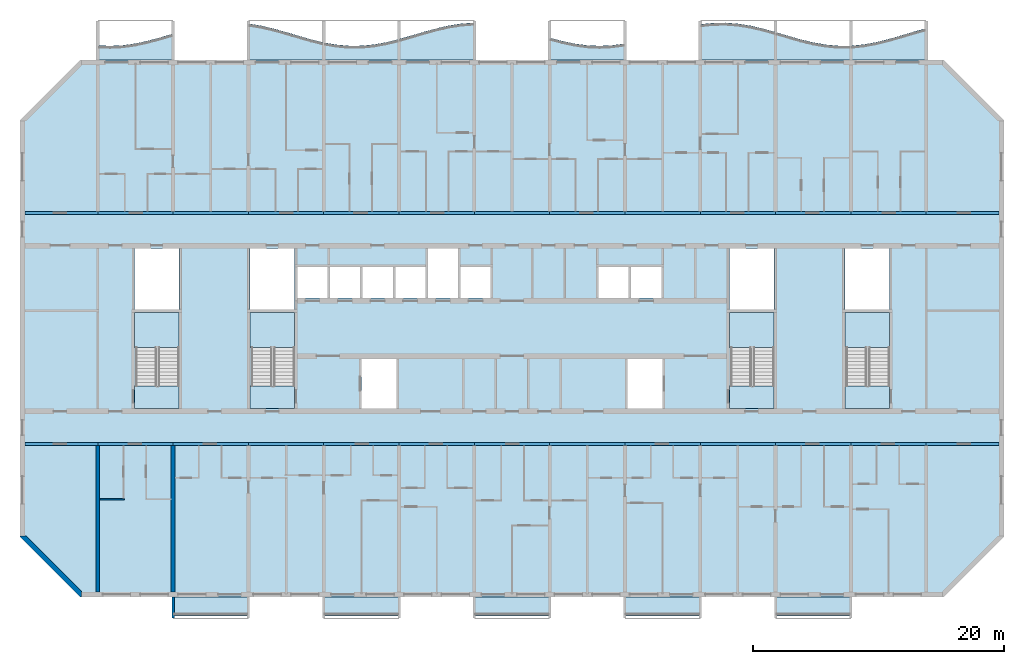
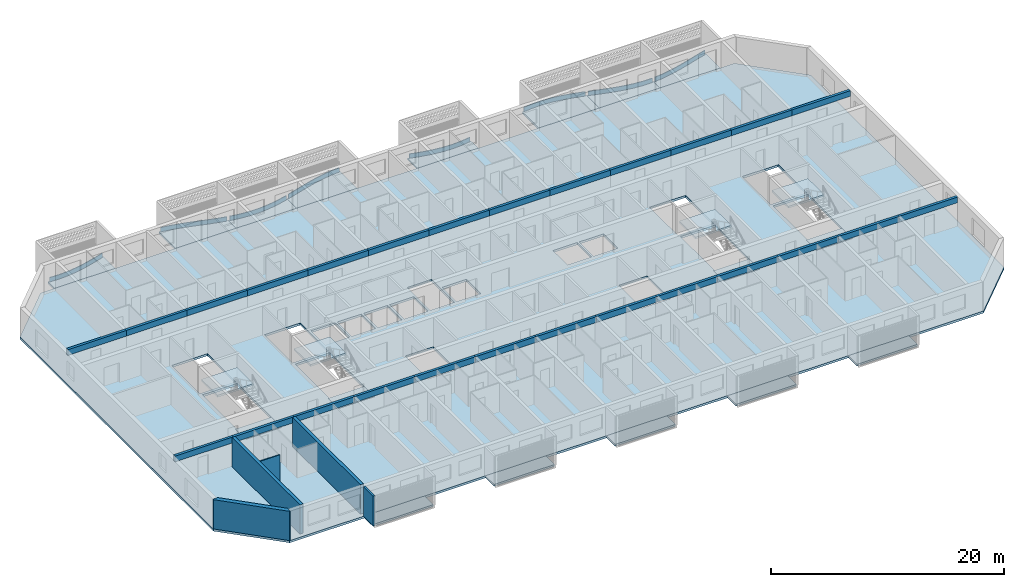
# One storey, part 1 of 33: 26 beams, 22 slabs, 8 plates, 5 walls, 4 elements without a shape of their own.
"""IFC4 building model written with IfcOpenShell, lengths in metres."""

from ifc_helpers import new_model, si_unit, direction, frame, frame_2d, origin, origin_2d, place, context, subcontext, project, spatial, polyline, rectangle, outline, extrude, source, transform, mapped, material, layer, layer_set, material_profile, profile_set, type_object, element, aggregate, save


model = new_model("IFC4")

# Units and contexts
model_context = context("Model", 3, precision=1e-05, world=origin(), true_north=direction((0.0, 1.0)))
body_context = subcontext(model_context, "Body", "Model", "MODEL_VIEW")
ifc_project = project(units=[si_unit("LENGTHUNIT", "METRE"), si_unit("AREAUNIT", "SQUARE_METRE"), si_unit("VOLUMEUNIT", "CUBIC_METRE"), si_unit("PLANEANGLEUNIT", "RADIAN"), si_unit("MASSUNIT", "GRAM", prefix="KILO")], contexts=[model_context])

# Site, building, storey
site_placement = place(None, origin())
site = spatial("IfcSite", under=ifc_project, at=site_placement, CompositionType="ELEMENT")
building_placement = place(site_placement, origin())
building = spatial("IfcBuilding", under=site, at=building_placement, Name="Poui Terraces", CompositionType="ELEMENT")
storey_placement = place(building_placement, frame((0.0, 0.0, 135.60009765625)))
storey = spatial("IfcBuildingStorey", under=building, at=storey_placement, Name="L37", CompositionType="ELEMENT", Elevation=135.60009765625)

# Beams
ifc_material_1 = material(Name="Concrete 65 MPa", Category="concrete")
ifc_material_profile = material_profile(ifc_material_1, rectangle(XDim=0.25, YDim=0.60009765625, at=origin_2d()), Name="RC 250x600")
ifc_profile_set = profile_set([ifc_material_profile], Name="Concrete 65 MPa")
beam_type = type_object("IfcBeamType", Name="COUPLING BEAM 250x600 65MPa", PredefinedType="BEAM", material=ifc_profile_set)
shared_shape_1 = source(origin(), body_context, "Body", "SweptSolid", [
    extrude(rectangle(XDim=0.25, YDim=0.60009765625, at=origin_2d()), origin(), (0.0, 0.0, 1.0), 5.800048828125),
])
for number, where, z_axis, x_axis, name in (
    (1, (12.199951171875, 12.0, 2.77001953125), (1.0, 0.0, 0.0), (0.0, 1.0, 0.0), "COUPLING BEAM LINE B BAY 1"),
    (2, (84.0, 12.0, 2.77001953125), (1.0, 0.0, 0.0), (0.0, 1.0, 0.0), "COUPLING BEAM LINE B BAY 13"),
    (3, (12.199951171875, 30.39990234375, 2.77001953125), (1.0, 0.0, 0.0), (0.0, 1.0, 0.0), "COUPLING BEAM LINE E BAY 1"),
    (4, (84.0, 30.39990234375, 2.77001953125), (1.0, 0.0, 0.0), (0.0, 1.0, 0.0), "COUPLING BEAM LINE E BAY 13"),
):
    element("IfcBeam", number, at=place(storey_placement, frame(where, z_axis=z_axis, x_axis=x_axis)), inside=storey, type_object=beam_type, Name=name, PredefinedType="BEAM", context=body_context, shape_type="MappedRepresentation", body=[
        mapped(shared_shape_1, transform((0.0, 0.0, 0.0))),
    ])
shared_shape_2 = source(origin(), body_context, "Body", "SweptSolid", [
    extrude(rectangle(XDim=0.25, YDim=0.60009765625, at=origin_2d()), origin(), (0.0, 0.0, 1.0), 6.0),
])
for number, where, z_axis, x_axis, name in (
    (5, (18.0, 12.0, 2.77001953125), (1.0, 0.0, 0.0), (0.0, 1.0, 0.0), "COUPLING BEAM LINE B BAY 2"),
    (6, (24.0, 12.0, 2.77001953125), (1.0, 0.0, 0.0), (0.0, 1.0, 0.0), "COUPLING BEAM LINE B BAY 3"),
    (7, (30.0, 12.0, 2.77001953125), (1.0, 0.0, 0.0), (0.0, 1.0, 0.0), "COUPLING BEAM LINE B BAY 4"),
    (8, (36.0, 12.0, 2.77001953125), (1.0, 0.0, 0.0), (0.0, 1.0, 0.0), "COUPLING BEAM LINE B BAY 5"),
    (9, (42.0, 12.0, 2.77001953125), (1.0, 0.0, 0.0), (0.0, 1.0, 0.0), "COUPLING BEAM LINE B BAY 6"),
    (10, (48.0, 12.0, 2.77001953125), (1.0, 0.0, 0.0), (0.0, 1.0, 0.0), "COUPLING BEAM LINE B BAY 7"),
    (11, (54.0, 12.0, 2.77001953125), (1.0, 0.0, 0.0), (0.0, 1.0, 0.0), "COUPLING BEAM LINE B BAY 8"),
    (12, (60.0, 12.0, 2.77001953125), (1.0, 0.0, 0.0), (0.0, 1.0, 0.0), "COUPLING BEAM LINE B BAY 9"),
    (13, (66.0, 12.0, 2.77001953125), (1.0, 0.0, 0.0), (0.0, 1.0, 0.0), "COUPLING BEAM LINE B BAY 10"),
    (14, (72.0, 12.0, 2.77001953125), (1.0, 0.0, 0.0), (0.0, 1.0, 0.0), "COUPLING BEAM LINE B BAY 11"),
    (15, (78.0, 12.0, 2.77001953125), (1.0, 0.0, 0.0), (0.0, 1.0, 0.0), "COUPLING BEAM LINE B BAY 12"),
    (16, (18.0, 30.39990234375, 2.77001953125), (1.0, 0.0, 0.0), (0.0, 1.0, 0.0), "COUPLING BEAM LINE E BAY 2"),
    (17, (24.0, 30.39990234375, 2.77001953125), (1.0, 0.0, 0.0), (0.0, 1.0, 0.0), "COUPLING BEAM LINE E BAY 3"),
    (18, (30.0, 30.39990234375, 2.77001953125), (1.0, 0.0, 0.0), (0.0, 1.0, 0.0), "COUPLING BEAM LINE E BAY 4"),
    (19, (36.0, 30.39990234375, 2.77001953125), (1.0, 0.0, 0.0), (0.0, 1.0, 0.0), "COUPLING BEAM LINE E BAY 5"),
    (20, (42.0, 30.39990234375, 2.77001953125), (1.0, 0.0, 0.0), (0.0, 1.0, 0.0), "COUPLING BEAM LINE E BAY 6"),
    (21, (48.0, 30.39990234375, 2.77001953125), (1.0, 0.0, 0.0), (0.0, 1.0, 0.0), "COUPLING BEAM LINE E BAY 7"),
    (22, (54.0, 30.39990234375, 2.77001953125), (1.0, 0.0, 0.0), (0.0, 1.0, 0.0), "COUPLING BEAM LINE E BAY 8"),
    (23, (60.0, 30.39990234375, 2.77001953125), (1.0, 0.0, 0.0), (0.0, 1.0, 0.0), "COUPLING BEAM LINE E BAY 9"),
    (24, (66.0, 30.39990234375, 2.77001953125), (1.0, 0.0, 0.0), (0.0, 1.0, 0.0), "COUPLING BEAM LINE E BAY 10"),
    (25, (72.0, 30.39990234375, 2.77001953125), (1.0, 0.0, 0.0), (0.0, 1.0, 0.0), "COUPLING BEAM LINE E BAY 11"),
    (26, (78.0, 30.39990234375, 2.77001953125), (1.0, 0.0, 0.0), (0.0, 1.0, 0.0), "COUPLING BEAM LINE E BAY 12"),
):
    element("IfcBeam", number, at=place(storey_placement, frame(where, z_axis=z_axis, x_axis=x_axis)), inside=storey, type_object=beam_type, Name=name, PredefinedType="BEAM", context=body_context, shape_type="MappedRepresentation", body=[
        mapped(shared_shape_2, transform((0.0, 0.0, 0.0))),
    ])

# Slabs
ifc_material_2 = material(Name="Precast concrete 40 MPa", Category="concrete")
ifc_layer_1 = layer(ifc_material_2, 0.199951171875)
ifc_layer_set_1 = layer_set([ifc_layer_1], Name="Precast concrete 40 MPa")
slab_type_1 = type_object("IfcSlabType", Name="BALCONY SLAB 200", PredefinedType="FLOOR", material=ifc_layer_set_1)
slab_1_placement = place(storey_placement, frame((0.0, 0.0, -0.2001953125)))
element("IfcSlab", 27, at=slab_1_placement, inside=storey, type_object=slab_type_1, Name="BALCONY SLAB", PredefinedType="FLOOR", context=body_context, shape_type="SweptSolid", body=[
    extrude(outline(polyline([(18.0, 42.60009765625), (24.0, 42.60009765625), (24.0, 44.6748046875), (23.0, 44.379638671875), (22.0, 44.10986328125), (21.0, 43.89306640625), (20.0, 43.751708984375), (19.0, 43.7001953125), (18.0, 43.743896484375), (18.0, 42.60009765625)])), origin(), (0.0, 0.0, 1.0), 0.2001953125),
])
slab_2_placement = place(storey_placement, frame((0.0, 0.0, -0.2001953125)))
element("IfcSlab", 28, at=slab_2_placement, inside=storey, type_object=slab_type_1, Name="BALCONY SLAB", PredefinedType="FLOOR", context=body_context, shape_type="SweptSolid", body=[
    extrude(outline(polyline([(30.0, 42.60009765625), (36.0, 42.60009765625), (36.0, 43.975341796875), (35.0, 44.21728515625), (34.0, 44.501220703125), (33.0, 44.7978515625), (32.0, 45.07666015625), (31.0, 45.30908203125), (30.0, 45.470947265625), (30.0, 42.60009765625)])), origin(), (0.0, 0.0, 1.0), 0.2001953125),
])
slab_3_placement = place(storey_placement, frame((0.0, 0.0, -0.2001953125)))
element("IfcSlab", 29, at=slab_3_placement, inside=storey, type_object=slab_type_1, Name="BALCONY SLAB", PredefinedType="FLOOR", context=body_context, shape_type="SweptSolid", body=[
    extrude(outline(polyline([(36.0, 42.60009765625), (42.0, 42.60009765625), (42.0, 44.23974609375), (41.0, 43.9931640625), (40.0, 43.811767578125), (39.0, 43.714111328125), (38.0, 43.710205078125), (37.0, 43.80029296875), (36.0, 43.975341796875), (36.0, 42.60009765625)])), origin(), (0.0, 0.0, 1.0), 0.2001953125),
])
slab_4_placement = place(storey_placement, frame((0.0, 0.0, -0.2001953125)))
element("IfcSlab", 30, at=slab_4_placement, inside=storey, type_object=slab_type_1, Name="BALCONY SLAB", PredefinedType="FLOOR", context=body_context, shape_type="SweptSolid", body=[
    extrude(outline(polyline([(42.0, 42.60009765625), (48.0, 42.60009765625), (48.0, 45.5478515625), (47.0, 45.480712890625), (46.0, 45.325439453125), (45.0, 45.09814453125), (44.0, 44.822265625), (43.0, 44.52587890625), (42.0, 44.23974609375), (42.0, 42.60009765625)])), origin(), (0.0, 0.0, 1.0), 0.2001953125),
])
slab_5_placement = place(storey_placement, frame((0.0, 0.0, -0.2001953125)))
element("IfcSlab", 31, at=slab_5_placement, inside=storey, type_object=slab_type_1, Name="BALCONY SLAB", PredefinedType="FLOOR", context=body_context, shape_type="SweptSolid", body=[
    extrude(outline(polyline([(54.0, 42.60009765625), (60.0, 42.60009765625), (60.0, 43.89306640625), (59.0, 43.751708984375), (58.0, 43.7001953125), (57.0, 43.743896484375), (56.0, 43.878173828125), (55.0, 44.08935546875), (54.0, 44.355712890625), (54.0, 42.60009765625)])), origin(), (0.0, 0.0, 1.0), 0.2001953125),
])
slab_6_placement = place(storey_placement, frame((0.0, 0.0, -0.2001953125)))
element("IfcSlab", 32, at=slab_6_placement, inside=storey, type_object=slab_type_1, Name="BALCONY SLAB", PredefinedType="FLOOR", context=body_context, shape_type="SweptSolid", body=[
    extrude(outline(polyline([(66.0, 42.60009765625), (72.0, 42.60009765625), (72.0, 44.7978515625), (71.0, 45.07666015625), (70.0, 45.30908203125), (69.0, 45.470947265625), (68.0, 45.5458984375), (67.0, 45.52587890625), (66.0, 45.413330078125), (66.0, 42.60009765625)])), origin(), (0.0, 0.0, 1.0), 0.2001953125),
])
slab_7_placement = place(storey_placement, frame((0.0, 0.0, -0.2001953125)))
element("IfcSlab", 33, at=slab_7_placement, inside=storey, type_object=slab_type_1, Name="BALCONY SLAB", PredefinedType="FLOOR", context=body_context, shape_type="SweptSolid", body=[
    extrude(outline(polyline([(72.0, 42.60009765625), (78.0, 42.60009765625), (78.0, 43.714111328125), (77.0, 43.710205078125), (76.0, 43.80029296875), (75.0, 43.975341796875), (74.0, 44.21728515625), (73.0, 44.501220703125), (72.0, 44.7978515625), (72.0, 42.60009765625)])), origin(), (0.0, 0.0, 1.0), 0.2001953125),
])
slab_8_placement = place(storey_placement, frame((0.0, 0.0, -0.2001953125)))
element("IfcSlab", 34, at=slab_8_placement, inside=storey, type_object=slab_type_1, Name="BALCONY SLAB", PredefinedType="FLOOR", context=body_context, shape_type="SweptSolid", body=[
    extrude(outline(polyline([(78.0, 42.60009765625), (84.0, 42.60009765625), (84.0, 45.09814453125), (83.0, 44.822265625), (82.0, 44.52587890625), (81.0, 44.23974609375), (80.0, 43.9931640625), (79.0, 43.811767578125), (78.0, 43.714111328125), (78.0, 42.60009765625)])), origin(), (0.0, 0.0, 1.0), 0.2001953125),
])

# Stair, slabs
stair_type = type_object("IfcStairType", Name="EXIT STAIR 1650 65 MPA", PredefinedType="HALF_TURN_STAIR", material=ifc_material_1)
stair_1_placement = place(storey_placement, origin())
stair_1 = element("IfcStair", 35, at=stair_1_placement, inside=storey, type_object=stair_type, Name="L37 CORE STAIR EAST", PredefinedType="HALF_TURN_STAIR")
ifc_layer_2 = layer(ifc_material_1, 0.199951171875)
ifc_layer_set_2 = layer_set([ifc_layer_2], Name="Concrete 65 MPa")
slab_type_2 = type_object("IfcSlabType", Name="STAIR LANDING 200 65 MPA", PredefinedType="LANDING", material=ifc_layer_set_2)
slab_9_placement = place(storey_placement, frame((0.0, 0.0, 1.44970703125)))
slab_9 = element("IfcSlab", 36, at=slab_9_placement, type_object=slab_type_2, Name="ST-CE landing 1", PredefinedType="LANDING", context=body_context, shape_type="SweptSolid", body=[
    extrude(outline(polyline([(68.324951171875, 19.679931640625), (71.875, 19.679931640625), (71.875, 22.47509765625), (68.324951171875, 22.47509765625), (68.324951171875, 19.679931640625)])), origin(), (0.0, 0.0, 1.0), 0.2001953125),
])
slab_10_placement = place(storey_placement, frame((0.0, 0.0, -0.2001953125)))
slab_10 = element("IfcSlab", 37, at=slab_10_placement, type_object=slab_type_2, Name="ST-CE landing 2", PredefinedType="LANDING", context=body_context, shape_type="SweptSolid", body=[
    extrude(outline(polyline([(68.324951171875, 14.824951171875), (71.875, 14.824951171875), (71.875, 16.60009765625), (68.324951171875, 16.60009765625), (68.324951171875, 14.824951171875)])), origin(), (0.0, 0.0, 1.0), 0.2001953125),
])
aggregate(stair_1, [slab_9, slab_10])

stair_2_placement = place(storey_placement, origin())
stair_2 = element("IfcStair", 38, at=stair_2_placement, inside=storey, type_object=stair_type, Name="L37 CORE STAIR WEST", PredefinedType="HALF_TURN_STAIR")
slab_11_placement = place(storey_placement, frame((0.0, 0.0, 1.44970703125)))
slab_11 = element("IfcSlab", 39, at=slab_11_placement, type_object=slab_type_2, Name="ST-CW landing 1", PredefinedType="LANDING", context=body_context, shape_type="SweptSolid", body=[
    extrude(outline(polyline([(30.125, 19.679931640625), (33.675048828125, 19.679931640625), (33.675048828125, 22.47509765625), (30.125, 22.47509765625), (30.125, 19.679931640625)])), origin(), (0.0, 0.0, 1.0), 0.2001953125),
])
slab_12_placement = place(storey_placement, frame((0.0, 0.0, -0.2001953125)))
slab_12 = element("IfcSlab", 40, at=slab_12_placement, type_object=slab_type_2, Name="ST-CW landing 2", PredefinedType="LANDING", context=body_context, shape_type="SweptSolid", body=[
    extrude(outline(polyline([(30.125, 14.824951171875), (33.675048828125, 14.824951171875), (33.675048828125, 16.60009765625), (30.125, 16.60009765625), (30.125, 14.824951171875)])), origin(), (0.0, 0.0, 1.0), 0.2001953125),
])
aggregate(stair_2, [slab_11, slab_12])

stair_3_placement = place(storey_placement, origin())
stair_3 = element("IfcStair", 41, at=stair_3_placement, inside=storey, type_object=stair_type, Name="L37 TIP STAIR EAST", PredefinedType="HALF_TURN_STAIR")
slab_13_placement = place(storey_placement, frame((0.0, 0.0, 1.44970703125)))
slab_13 = element("IfcSlab", 42, at=slab_13_placement, type_object=slab_type_2, Name="ST-E landing 1", PredefinedType="LANDING", context=body_context, shape_type="SweptSolid", body=[
    extrude(outline(polyline([(77.52490234375, 19.679931640625), (81.074951171875, 19.679931640625), (81.074951171875, 22.47509765625), (77.52490234375, 22.47509765625), (77.52490234375, 19.679931640625)])), origin(), (0.0, 0.0, 1.0), 0.2001953125),
])
slab_14_placement = place(storey_placement, frame((0.0, 0.0, -0.2001953125)))
slab_14 = element("IfcSlab", 43, at=slab_14_placement, type_object=slab_type_2, Name="ST-E landing 2", PredefinedType="LANDING", context=body_context, shape_type="SweptSolid", body=[
    extrude(outline(polyline([(77.52490234375, 14.824951171875), (81.074951171875, 14.824951171875), (81.074951171875, 16.60009765625), (77.52490234375, 16.60009765625), (77.52490234375, 14.824951171875)])), origin(), (0.0, 0.0, 1.0), 0.2001953125),
])
aggregate(stair_3, [slab_13, slab_14])

stair_4_placement = place(storey_placement, origin())
stair_4 = element("IfcStair", 44, at=stair_4_placement, inside=storey, type_object=stair_type, Name="L37 TIP STAIR WEST", PredefinedType="HALF_TURN_STAIR")
slab_15_placement = place(storey_placement, frame((0.0, 0.0, 1.44970703125)))
slab_15 = element("IfcSlab", 45, at=slab_15_placement, type_object=slab_type_2, Name="ST-W landing 1", PredefinedType="LANDING", context=body_context, shape_type="SweptSolid", body=[
    extrude(outline(polyline([(20.925048828125, 19.679931640625), (24.47509765625, 19.679931640625), (24.47509765625, 22.47509765625), (20.925048828125, 22.47509765625), (20.925048828125, 19.679931640625)])), origin(), (0.0, 0.0, 1.0), 0.2001953125),
])
slab_16_placement = place(storey_placement, frame((0.0, 0.0, -0.2001953125)))
slab_16 = element("IfcSlab", 46, at=slab_16_placement, type_object=slab_type_2, Name="ST-W landing 2", PredefinedType="LANDING", context=body_context, shape_type="SweptSolid", body=[
    extrude(outline(polyline([(20.925048828125, 14.824951171875), (24.47509765625, 14.824951171875), (24.47509765625, 16.60009765625), (20.925048828125, 16.60009765625), (20.925048828125, 14.824951171875)])), origin(), (0.0, 0.0, 1.0), 0.2001953125),
])
aggregate(stair_4, [slab_15, slab_16])

# Plates
ifc_layer_3 = layer(ifc_material_2, 0.080078125)
ifc_layer_set_3 = layer_set([ifc_layer_3], Name="Precast concrete 40 MPa")
plate_type = type_object("IfcPlateType", Name="SUNSHADE UPSTAND 80", PredefinedType="SHEET", material=ifc_layer_set_3)
plate_1_placement = place(storey_placement, origin())
element("IfcPlate", 47, at=plate_1_placement, inside=storey, type_object=plate_type, Name="SUNSHADE UPSTAND", PredefinedType="SHEET", context=body_context, shape_type="SweptSolid", body=[
    extrude(outline(polyline([(18.999755859375, 43.695068359375), (18.12646484375, 43.72802734375), (18.12353515625, 43.648193359375), (19.000244140625, 43.614990234375), (20.00390625, 43.666748046875), (21.007080078125, 43.80859375), (22.009521484375, 44.02587890625), (23.010986328125, 44.296142578125), (23.88623046875, 44.553955078125), (23.86376953125, 44.630859375), (22.989013671875, 44.373046875), (21.990478515625, 44.103759765625), (20.992919921875, 43.887451171875), (19.99609375, 43.74658203125), (18.999755859375, 43.695068359375)])), origin(), (0.0, 0.0, 1.0), 0.449951171875),
])
plate_2_placement = place(storey_placement, origin())
element("IfcPlate", 48, at=plate_2_placement, inside=storey, type_object=plate_type, Name="SUNSHADE UPSTAND", PredefinedType="SHEET", context=body_context, shape_type="SweptSolid", body=[
    extrude(outline(polyline([(31.0078125, 45.30322265625), (30.1357421875, 45.448974609375), (30.131591796875, 45.44970703125), (30.118408203125, 45.370849609375), (30.9921875, 45.224853515625), (31.989990234375, 44.992919921875), (32.989013671875, 44.71435546875), (33.98876953125, 44.417724609375), (34.98974609375, 44.133544921875), (35.865478515625, 43.91845703125), (35.884521484375, 43.99609375), (35.01025390625, 44.2109375), (34.01123046875, 44.49462890625), (33.010986328125, 44.791259765625), (32.010009765625, 45.070556640625), (31.0078125, 45.30322265625)])), origin(), (0.0, 0.0, 1.0), 0.449951171875),
])
plate_3_placement = place(storey_placement, origin())
element("IfcPlate", 49, at=plate_3_placement, inside=storey, type_object=plate_type, Name="SUNSHADE UPSTAND", PredefinedType="SHEET", context=body_context, shape_type="SweptSolid", body=[
    extrude(outline(polyline([(37.005126953125, 43.794921875), (36.131591796875, 43.94384765625), (36.118408203125, 43.864990234375), (36.994873046875, 43.715576171875), (37.998291015625, 43.625), (39.001953125, 43.629150390625), (40.005615234375, 43.72705078125), (41.00830078125, 43.9091796875), (41.884521484375, 44.122314453125), (41.865478515625, 44.199951171875), (40.99169921875, 43.9873046875), (39.994384765625, 43.806396484375), (38.998046875, 43.708984375), (38.001708984375, 43.705078125), (37.005126953125, 43.794921875)])), origin(), (0.0, 0.0, 1.0), 0.449951171875),
])
plate_4_placement = place(storey_placement, origin())
element("IfcPlate", 50, at=plate_4_placement, inside=storey, type_object=plate_type, Name="SUNSHADE UPSTAND", PredefinedType="SHEET", context=body_context, shape_type="SweptSolid", body=[
    extrude(outline(polyline([(42.98876953125, 44.519287109375), (42.114013671875, 44.267333984375), (42.135986328125, 44.1904296875), (43.01123046875, 44.4423828125), (44.010986328125, 44.73876953125), (45.009765625, 45.014404296875), (46.007568359375, 45.2412109375), (47.00439453125, 45.39599609375), (47.8779296875, 45.459716796875), (47.8720703125, 45.539306640625), (47.83203125, 45.53662109375), (46.99560546875, 45.4755859375), (45.992431640625, 45.31982421875), (44.990234375, 45.092041015625), (43.989013671875, 44.815673828125), (42.98876953125, 44.519287109375)])), origin(), (0.0, 0.0, 1.0), 0.449951171875),
])
plate_5_placement = place(storey_placement, origin())
element("IfcPlate", 51, at=plate_5_placement, inside=storey, type_object=plate_type, Name="SUNSHADE UPSTAND", PredefinedType="SHEET", context=body_context, shape_type="SweptSolid", body=[
    extrude(outline(polyline([(55.00927734375, 44.083251953125), (54.13525390625, 44.31396484375), (54.11474609375, 44.23681640625), (54.99072265625, 44.00537109375), (55.9931640625, 43.793701171875), (56.99658203125, 43.658935546875), (58.000244140625, 43.614990234375), (59.003662109375, 43.666748046875), (59.88037109375, 43.7861328125), (59.86962890625, 43.865478515625), (58.996337890625, 43.74658203125), (57.999755859375, 43.695068359375), (57.00341796875, 43.738525390625), (56.0068359375, 43.87255859375), (55.00927734375, 44.083251953125)])), origin(), (0.0, 0.0, 1.0), 0.449951171875),
])
plate_6_placement = place(storey_placement, origin())
element("IfcPlate", 52, at=plate_6_placement, inside=storey, type_object=plate_type, Name="SUNSHADE UPSTAND", PredefinedType="SHEET", context=body_context, shape_type="SweptSolid", body=[
    extrude(outline(polyline([(66.99755859375, 45.52099609375), (66.123291015625, 45.42724609375), (66.12060546875, 45.427001953125), (66.12939453125, 45.347412109375), (67.00244140625, 45.441162109375), (67.998779296875, 45.4609375), (68.995361328125, 45.38623046875), (69.9921875, 45.224853515625), (70.989990234375, 44.992919921875), (71.8642578125, 44.750732421875), (71.8857421875, 44.827880859375), (71.010009765625, 45.070556640625), (70.0078125, 45.30322265625), (69.004638671875, 45.4658203125), (68.001220703125, 45.541015625), (66.99755859375, 45.52099609375)])), origin(), (0.0, 0.0, 1.0), 0.449951171875),
])
plate_7_placement = place(storey_placement, origin())
element("IfcPlate", 53, at=plate_7_placement, inside=storey, type_object=plate_type, Name="SUNSHADE UPSTAND", PredefinedType="SHEET", context=body_context, shape_type="SweptSolid", body=[
    extrude(outline(polyline([(73.01123046875, 44.49462890625), (72.136474609375, 44.75439453125), (72.113525390625, 44.677734375), (72.98876953125, 44.417724609375), (73.98974609375, 44.133544921875), (74.99169921875, 43.89111328125), (75.99462890625, 43.715576171875), (76.998291015625, 43.625), (77.875, 43.623291015625), (77.875, 43.703369140625), (77.001708984375, 43.705078125), (76.00537109375, 43.794921875), (75.00830078125, 43.969482421875), (74.01025390625, 44.2109375), (73.01123046875, 44.49462890625)])), origin(), (0.0, 0.0, 1.0), 0.449951171875),
])
plate_8_placement = place(storey_placement, origin())
element("IfcPlate", 54, at=plate_8_placement, inside=storey, type_object=plate_type, Name="SUNSHADE UPSTAND", PredefinedType="SHEET", context=body_context, shape_type="SweptSolid", body=[
    extrude(outline(polyline([(78.994384765625, 43.806396484375), (78.120849609375, 43.716064453125), (78.129150390625, 43.636474609375), (79.005615234375, 43.727294921875), (80.00830078125, 43.9091796875), (81.01025390625, 44.156005859375), (82.01123046875, 44.4423828125), (83.010986328125, 44.73876953125), (83.8857421875, 44.982421875), (83.8642578125, 45.059326171875), (82.989013671875, 44.815673828125), (81.98876953125, 44.519287109375), (80.98974609375, 44.2333984375), (79.99169921875, 43.9873046875), (78.994384765625, 43.806396484375)])), origin(), (0.0, 0.0, 1.0), 0.449951171875),
])

# Slabs
ifc_material_3 = material(Name="Concrete 40 MPa", Category="concrete")
ifc_layer_4 = layer(ifc_material_3, 0.22998046875)
ifc_layer_set_4 = layer_set([ifc_layer_4], Name="Concrete 40 MPa")
slab_type_3 = type_object("IfcSlabType", Name="FLOOR SLAB 230", PredefinedType="FLOOR", material=ifc_layer_set_4)
shared_shape_3 = source(origin(), body_context, "Body", "SweptSolid", [
    extrude(outline(polyline([(0.0, 0.0), (4.800048828125, -4.800048828125), (73.599853515625, -4.800048828125), (78.39990234375, 0.0), (78.39990234375, 33.199951171875), (73.599853515625, 38.0), (4.800048828125, 38.0), (0.0, 33.199951171875), (0.0, 0.0)]), holes=[polyline([(27.199951171875, 10.224853515625), (27.199951171875, 14.1748046875), (30.0, 14.1748046875), (30.0, 10.224853515625), (27.199951171875, 10.224853515625)]), polyline([(9.224853515625, 17.849853515625), (12.675048828125, 17.849853515625), (12.675048828125, 12.0), (12.675048828125, 10.224853515625), (9.125, 10.224853515625), (9.125, 12.0), (9.224853515625, 12.0), (9.224853515625, 17.849853515625)]), polyline([(18.425048828125, 17.849853515625), (21.875, 17.849853515625), (21.875, 12.0), (21.875, 10.224853515625), (18.324951171875, 10.224853515625), (18.324951171875, 12.0), (18.425048828125, 12.0), (18.425048828125, 17.849853515625)]), polyline([(22.099853515625, 19.02490234375), (22.099853515625, 21.5), (24.5, 21.5), (24.5, 19.02490234375), (22.099853515625, 19.02490234375)]), polyline([(24.699951171875, 19.02490234375), (24.699951171875, 21.5), (27.099853515625, 21.5), (27.099853515625, 19.02490234375), (24.699951171875, 19.02490234375)]), polyline([(27.300048828125, 19.02490234375), (27.300048828125, 21.5), (29.699951171875, 21.5), (29.699951171875, 19.02490234375), (27.300048828125, 19.02490234375)]), polyline([(29.89990234375, 19.02490234375), (29.89990234375, 21.5), (32.300048828125, 21.5), (32.300048828125, 19.02490234375), (29.89990234375, 19.02490234375)]), polyline([(9.125, 22.974853515625), (12.675048828125, 22.974853515625), (12.675048828125, 18.125), (9.125, 18.125), (9.125, 22.974853515625)]), polyline([(18.324951171875, 22.974853515625), (21.875, 22.974853515625), (21.875, 18.125), (18.324951171875, 18.125), (18.324951171875, 22.974853515625)]), polyline([(48.39990234375, 10.224853515625), (48.39990234375, 14.1748046875), (51.199951171875, 14.1748046875), (51.199951171875, 10.224853515625), (48.39990234375, 10.224853515625)]), polyline([(56.625, 17.849853515625), (60.074951171875, 17.849853515625), (60.074951171875, 12.0), (60.074951171875, 10.224853515625), (56.52490234375, 10.224853515625), (56.52490234375, 12.0), (56.625, 12.0), (56.625, 17.849853515625)]), polyline([(65.824951171875, 17.849853515625), (69.27490234375, 17.849853515625), (69.27490234375, 12.0), (69.27490234375, 10.224853515625), (65.724853515625, 10.224853515625), (65.724853515625, 12.0), (65.824951171875, 12.0), (65.824951171875, 17.849853515625)]), polyline([(35.099853515625, 19.02490234375), (35.099853515625, 21.5), (37.5, 21.5), (37.5, 19.02490234375), (35.099853515625, 19.02490234375)]), polyline([(46.099853515625, 19.02490234375), (46.099853515625, 21.5), (48.5, 21.5), (48.5, 19.02490234375), (46.099853515625, 19.02490234375)]), polyline([(48.699951171875, 19.02490234375), (48.699951171875, 21.5), (51.099853515625, 21.5), (51.099853515625, 19.02490234375), (48.699951171875, 19.02490234375)]), polyline([(56.52490234375, 18.125), (56.52490234375, 22.974853515625), (60.074951171875, 22.974853515625), (60.074951171875, 18.125), (56.52490234375, 18.125)]), polyline([(65.724853515625, 22.974853515625), (69.27490234375, 22.974853515625), (69.27490234375, 18.125), (65.724853515625, 18.125), (65.724853515625, 22.974853515625)]), polyline([(32.5, 22.974853515625), (34.89990234375, 22.974853515625), (34.89990234375, 19.02490234375), (32.5, 19.02490234375), (32.5, 22.974853515625)])]), origin(), (0.0, 0.0, 1.0), 0.230224609375),
])
slab_17_placement = place(storey_placement, frame((11.800048828125, 4.60009765625, -0.230224609375)))
element("IfcSlab", 55, at=slab_17_placement, inside=storey, type_object=slab_type_3, Name="FLOOR SLAB", PredefinedType="FLOOR", context=body_context, shape_type="MappedRepresentation", body=[
    mapped(shared_shape_3, transform((0.0, 0.0, 0.0))),
])
ifc_layer_5 = layer(ifc_material_2, 0.199951171875)
ifc_layer_set_5 = layer_set([ifc_layer_5], Name="Precast concrete 40 MPa")
slab_type_4 = type_object("IfcSlabType", Name="REAR BALCONY SLAB 200", PredefinedType="FLOOR", material=ifc_layer_set_5)
shared_shape_4 = source(origin(), body_context, "Body", "SweptSolid", [
    extrude(outline(polyline([(0.0, 0.0), (6.0, 0.0), (6.0, 1.5), (0.0, 1.5), (0.0, 0.0)])), origin(), (0.0, 0.0, 1.0), 0.2001953125),
])
for number, where, name in (
    (56, (24.0, -1.699951171875, -0.2001953125), "REAR BALCONY SLAB"),
    (57, (36.0, -1.699951171875, -0.2001953125), "REAR BALCONY SLAB"),
    (58, (48.0, -1.699951171875, -0.2001953125), "REAR BALCONY SLAB"),
    (59, (60.0, -1.699951171875, -0.2001953125), "REAR BALCONY SLAB"),
    (60, (72.0, -1.699951171875, -0.2001953125), "REAR BALCONY SLAB"),
):
    element("IfcSlab", number, at=place(storey_placement, frame(where)), inside=storey, type_object=slab_type_4, Name=name, PredefinedType="FLOOR", context=body_context, shape_type="MappedRepresentation", body=[
        mapped(shared_shape_4, transform((0.0, 0.0, 0.0))),
    ])

# Walls
ifc_layer_6 = layer(ifc_material_1, 0.300048828125)
ifc_layer_set_6 = layer_set([ifc_layer_6], Name="Concrete 65 MPa")
wall_type_1 = type_object("IfcWallType", Name="CROSS WALL 300 65MPa", PredefinedType="SHEAR", material=ifc_layer_set_6)
for number, where, z_axis, x_axis, name in (
    (61, (18.0, 0.199951171875, 0.0), (0.0, 0.0, 1.0), (0.0, 1.0, 0.0), "CROSS WALL LINE 4 SOUTH"),
    (62, (24.0, 0.199951171875, 0.0), (0.0, 0.0, 1.0), (0.0, 1.0, 0.0), "CROSS WALL LINE 5 SOUTH"),
):
    element("IfcWall", number, at=place(storey_placement, frame(where, z_axis=z_axis, x_axis=x_axis)), inside=storey, type_object=wall_type_1, Name=name, PredefinedType="SHEAR", context=body_context, shape_type="SweptSolid", body=[
        extrude(rectangle(XDim=11.675048828125, YDim=0.300048828125, at=frame_2d((5.83740234375, 0.0))), origin(), (0.0, 0.0, 1.0), 3.06982421875),
    ])
ifc_material_4 = material(Name="Plasterboard partition")
ifc_layer_7 = layer(ifc_material_4, 0.10009765625)
ifc_layer_set_7 = layer_set([ifc_layer_7], Name="Plasterboard partition")
wall_type_2 = type_object("IfcWallType", Name="FLAT PARTITION 100", PredefinedType="PARTITIONING", material=ifc_layer_set_7)
wall_1_placement = place(storey_placement, frame((18.159912109375, 7.60009765625, 0.0), z_axis=(0.0, 0.0, 1.0), x_axis=(1.0, 0.0, 0.0)))
element("IfcWall", 63, at=wall_1_placement, inside=storey, type_object=wall_type_2, Name="FLAT PARTITION 100", PredefinedType="PARTITIONING", context=body_context, shape_type="SweptSolid", body=[
    extrude(rectangle(XDim=1.940185546875, YDim=0.10009765625, at=frame_2d((0.97021484375, 0.0))), origin(), (0.0, 0.0, 1.0), 3.06982421875),
])
ifc_layer_8 = layer(ifc_material_2, 0.39990234375)
ifc_layer_set_8 = layer_set([ifc_layer_8], Name="Precast concrete 40 MPa")
wall_type_3 = type_object("IfcWallType", Name="TERRACOTTA CLAD CHAMFER WALL 400", PredefinedType="STANDARD", material=ifc_layer_set_8)
wall_2_placement = place(storey_placement, origin())
element("IfcWall", 64, at=wall_2_placement, inside=storey, type_object=wall_type_3, Name="CHAMFER WALL CH07", PredefinedType="STANDARD", context=body_context, shape_type="SweptSolid", body=[
    extrude(outline(polyline([(11.800048828125, 4.682861328125), (11.800048828125, 4.60009765625), (16.60009765625, -0.199951171875), (16.682861328125, -0.199951171875), (16.682861328125, 0.28271484375), (12.28271484375, 4.682861328125), (11.800048828125, 4.682861328125)])), origin(), (0.0, 0.0, 1.0), 3.06982421875),
])
ifc_layer_9 = layer(ifc_material_2, 0.199951171875)
ifc_layer_set_9 = layer_set([ifc_layer_9], Name="Precast concrete 40 MPa")
wall_type_4 = type_object("IfcWallType", Name="REAR FIN 200", PredefinedType="STANDARD", material=ifc_layer_set_9)
shared_shape_5 = source(origin(), body_context, "Body", "SweptSolid", [
    extrude(outline(polyline([(0.0, 0.0), (0.2001953125, 0.0), (0.2001953125, 1.650146484375), (0.0, 1.650146484375), (0.0, 0.0)])), origin(), (0.0, 0.0, 1.0), 3.099853515625),
])
wall_3_placement = place(storey_placement, frame((23.89990234375, -1.85009765625, 0.0)))
element("IfcWall", 65, at=wall_3_placement, inside=storey, type_object=wall_type_4, Name="REAR FIN", PredefinedType="STANDARD", context=body_context, shape_type="MappedRepresentation", body=[
    mapped(shared_shape_5, transform((0.0, 0.0, 0.0))),
])

save(model, "model.ifc")
